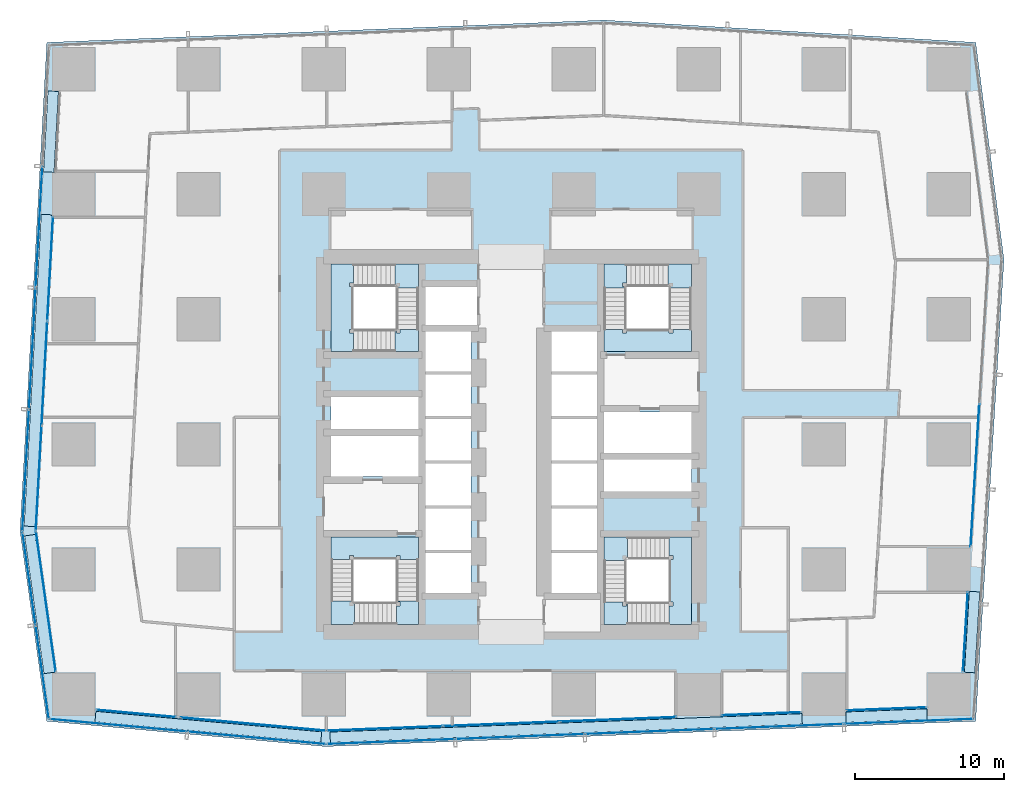
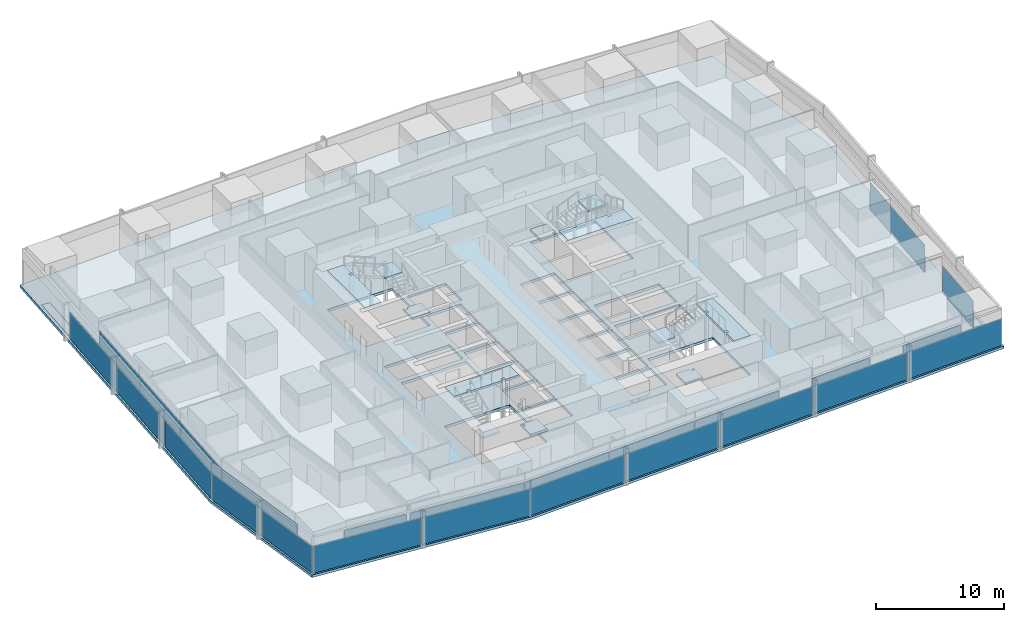
# One storey, part 27 of 40: 32 plates, 13 slabs, 17 elements without a shape of their own.
"""IFC4 building model written with IfcOpenShell, lengths in metres."""

import ifcopenshell
import ifcopenshell.guid

model = None  # the IFC model being written
_history = None  # IfcOwnerHistory: only IFC2X3 demands one
_inside = {}  # id of a spatial element -> (the spatial element, [elements in it])
_under = {}  # id of a project, library or spatial element -> (it, [spatial elements below it])
_declared = {}  # id of a project -> (the project, [libraries it declares])
_typed = {}  # id of a type object -> (the type object, [elements of that type])
_made_of = {}  # id of a material, layer set ... -> (it, [elements and type objects made of it])


def new_model(schema):
    """Start an empty IFC model of exactly this schema.

    Asked for "IFC4X3", IfcOpenShell would pick the latest addendum, in which some entities
    have other attributes; the version numbers below select the first issue.
    IFC2X3 requires an IfcOwnerHistory on every rooted entity: one is made here for all.
    """
    global model, _history
    if schema == "IFC4X3":
        model = ifcopenshell.file(schema_version=(4, 3, 0, 0))
    else:
        model = ifcopenshell.file(schema=schema)
    _inside.clear()
    _under.clear()
    _declared.clear()
    _typed.clear()
    _made_of.clear()
    _history = None
    if model.schema == "IFC2X3":
        org = make("IfcOrganization", Name="unknown")
        user = make(
            "IfcPersonAndOrganization",
            ThePerson=make("IfcPerson", FamilyName="unknown"),
            TheOrganization=org,
        )
        app = make(
            "IfcApplication",
            ApplicationDeveloper=org,
            Version="unknown",
            ApplicationFullName="unknown",
            ApplicationIdentifier="unknown",
        )
        _history = make(
            "IfcOwnerHistory",
            OwningUser=user,
            OwningApplication=app,
            ChangeAction="ADDED",
            CreationDate=0,
        )
    return model


def make(cls, **values):
    """One entity of the class cls with the attributes given. An attribute that is None is left unset."""
    return model.create_entity(
        cls, **{name: value for name, value in values.items() if value is not None}
    )


def rooted(cls, **values):
    """An entity with a GlobalId (a new one), such as an element, a storey or a relation."""
    return make(cls, GlobalId=ifcopenshell.guid.new(), OwnerHistory=_history, **values)


def si_unit(unit_type, name, prefix=None):
    """IfcSIUnit, for example si_unit("LENGTHUNIT", "METRE", prefix="MILLI")."""
    return make("IfcSIUnit", UnitType=unit_type, Prefix=prefix, Name=name)


def assignment(units):
    """IfcUnitAssignment: the units of a project."""
    return None if units is None else make("IfcUnitAssignment", Units=units)


def point(xyz):
    """IfcCartesianPoint."""
    return None if xyz is None else make("IfcCartesianPoint", Coordinates=xyz)


def direction(xyz):
    """IfcDirection."""
    return None if xyz is None else make("IfcDirection", DirectionRatios=xyz)


def frame(location, z_axis=None, x_axis=None):
    """IfcAxis2Placement3D, a coordinate frame: its origin and axes. An axis left out is left unset."""
    return make(
        "IfcAxis2Placement3D",
        Location=point(location),
        Axis=direction(z_axis),
        RefDirection=direction(x_axis),
    )


def frame_2d(location, x_axis=None):
    """IfcAxis2Placement2D, a coordinate frame in the plane: its origin and x axis."""
    return make(
        "IfcAxis2Placement2D", Location=point(location), RefDirection=direction(x_axis)
    )


def origin():
    """The frame at (0, 0, 0) with its axes left unset."""
    return frame((0.0, 0.0, 0.0))


def origin_2d():
    """The frame at (0, 0) in the plane with its x axis left unset."""
    return frame_2d((0.0, 0.0))


def place(relative_to, where):
    """IfcLocalPlacement: puts the frame where relative to a parent placement (None: the world)."""
    return make(
        "IfcLocalPlacement", PlacementRelTo=relative_to, RelativePlacement=where
    )


def context(
    kind, dimensions, precision=None, world=None, true_north=None, identifier=None
):
    """IfcGeometricRepresentationContext, for example the 3D "Model" context."""
    return make(
        "IfcGeometricRepresentationContext",
        ContextIdentifier=identifier,
        ContextType=kind,
        CoordinateSpaceDimension=dimensions,
        Precision=precision,
        WorldCoordinateSystem=world,
        TrueNorth=true_north,
    )


def subcontext(parent, identifier, kind, view, scale=None):
    """IfcGeometricRepresentationSubContext, for example "Body" below "Model"."""
    return make(
        "IfcGeometricRepresentationSubContext",
        ContextIdentifier=identifier,
        ContextType=kind,
        ParentContext=parent,
        TargetScale=scale,
        TargetView=view,
    )


def project(units=None, contexts=None):
    """IfcProject with its units and contexts."""
    return rooted(
        "IfcProject",
        Name="project",
        RepresentationContexts=contexts,
        UnitsInContext=assignment(units),
    )


def spatial(cls, under=None, at=None, **own):
    """A site, building, storey or space (cls), placed at a placement, below another one or the project."""
    s = rooted(cls, ObjectPlacement=at, **own)
    if under is not None:
        _under.setdefault(under.id(), (under, []))[1].append(s)
    return s


def polyline(points):
    """IfcPolyline through the points."""
    return make("IfcPolyline", Points=[point(p) for p in points])


def profile(cls, at=None, kind="AREA", **sizes):
    """A parametric profile (cls). Its sizes go by their IFC names, for example OverallWidth=200.0."""
    return make(cls, ProfileType=kind, Position=at, **sizes)


def rectangle(**sizes):
    """IfcRectangleProfileDef."""
    return profile("IfcRectangleProfileDef", **sizes)


def outline(outer, holes=None, kind="AREA"):
    """IfcArbitraryClosedProfileDef: a profile drawn as a closed curve; with holes, ...WithVoids."""
    if holes is None:
        return make("IfcArbitraryClosedProfileDef", ProfileType=kind, OuterCurve=outer)
    return make(
        "IfcArbitraryProfileDefWithVoids",
        ProfileType=kind,
        OuterCurve=outer,
        InnerCurves=holes,
    )


def extrude(swept, where, along, depth):
    """IfcExtrudedAreaSolid: the profile swept, set in the frame where, extruded along a direction by depth."""
    return make(
        "IfcExtrudedAreaSolid",
        SweptArea=swept,
        Position=where,
        ExtrudedDirection=direction(along),
        Depth=depth,
    )


def shape(context_of_items, identifier, shape_type, items):
    """IfcShapeRepresentation: the items that make up one representation, for example the "Body"."""
    return make(
        "IfcShapeRepresentation",
        ContextOfItems=context_of_items,
        RepresentationIdentifier=identifier,
        RepresentationType=shape_type,
        Items=items,
    )


def material(Name=None, Category=None):
    """IfcMaterial."""
    return make("IfcMaterial", Name=Name, Category=Category)


def layer(
    of_material, thickness, ventilated=None, Name=None, Category=None, Priority=None
):
    """IfcMaterialLayer: one layer of a wall or slab, of a material (None: an air gap)."""
    return make(
        "IfcMaterialLayer",
        Material=of_material,
        LayerThickness=thickness,
        IsVentilated=ventilated,
        Name=Name,
        Category=Category,
        Priority=Priority,
    )


def layer_set(layers, Name=None):
    """IfcMaterialLayerSet."""
    return make("IfcMaterialLayerSet", MaterialLayers=layers, LayerSetName=Name)


def made_of(thing, what):
    """Note that an element or type object is made of a material, layer set ...; save() writes the relation."""
    if what is not None:
        _made_of.setdefault(what.id(), (what, []))[1].append(thing)
    return thing


def type_object(cls, material=None, **own):
    """A type object (cls), such as IfcWallType, which elements share."""
    return made_of(rooted(cls, **own), material)


def element(
    cls,
    number,
    at=None,
    inside=None,
    cuts=None,
    type_object=None,
    material=None,
    context=None,
    identifier="Body",
    shape_type=None,
    held_by="IfcProductDefinitionShape",
    body=None,
    shapes=None,
    **own,
):
    """One element of the class cls, such as IfcWall. Its Tag is "e" and its number.

    at: its placement. inside: the storey or other place that contains it. cuts: it is an
    opening in that element (IfcRelVoidsElement). A single representation is given by context,
    identifier, shape_type and body (its items); several are given by shapes. held_by: the class
    of the entity that holds the representations. save() writes the other relations.
    """
    e = rooted(cls, Tag="e%d" % number, ObjectPlacement=at, **own)
    if body is not None:
        shapes = [shape(context, identifier, shape_type, body)]
    if shapes is not None:
        e.Representation = make(held_by, Representations=shapes)
    if inside is not None:
        _inside.setdefault(inside.id(), (inside, []))[1].append(e)
    if cuts is not None:
        rooted(
            "IfcRelVoidsElement", RelatingBuildingElement=cuts, RelatedOpeningElement=e
        )
    if type_object is not None:
        _typed.setdefault(type_object.id(), (type_object, []))[1].append(e)
    return made_of(e, material)


def aggregate(whole, parts):
    """IfcRelAggregates: a whole, such as a stair, and the parts it consists of."""
    return rooted("IfcRelAggregates", RelatingObject=whole, RelatedObjects=parts)


def save(model, path):
    """Write the relations noted so far, then the file.

    IfcRelAggregates (storeys below a building ...), IfcRelContainedInSpatialStructure (elements
    in a storey), IfcRelDefinesByType, IfcRelAssociatesMaterial and IfcRelDeclares: one each for
    every whole, place, type object, material and project.
    """
    for whole, parts in _under.values():
        aggregate(whole, parts)
    for where, things in _inside.values():
        rooted(
            "IfcRelContainedInSpatialStructure",
            RelatedElements=things,
            RelatingStructure=where,
        )
    for kind, things in _typed.values():
        rooted("IfcRelDefinesByType", RelatedObjects=things, RelatingType=kind)
    for what, things in _made_of.values():
        rooted("IfcRelAssociatesMaterial", RelatedObjects=things, RelatingMaterial=what)
    for by, libraries in _declared.values():
        rooted("IfcRelDeclares", RelatingContext=by, RelatedDefinitions=libraries)
    model.write(path)


model = new_model("IFC4")

# Units and contexts
model_context = context("Model", 3, precision=1e-05, world=origin(), true_north=direction((0.0, 1.0)))
body_context = subcontext(model_context, "Body", "Model", "MODEL_VIEW")
ifc_project = project(units=[si_unit("LENGTHUNIT", "METRE"), si_unit("AREAUNIT", "SQUARE_METRE"), si_unit("VOLUMEUNIT", "CUBIC_METRE"), si_unit("PLANEANGLEUNIT", "RADIAN"), si_unit("MASSUNIT", "GRAM", prefix="KILO")], contexts=[model_context])

# Site, building, storey
site_placement = place(None, origin())
site = spatial("IfcSite", under=ifc_project, at=site_placement, CompositionType="ELEMENT")
building_placement = place(site_placement, origin())
building = spatial("IfcBuilding", under=site, at=building_placement, Name="Rekha Terrace Tower", CompositionType="ELEMENT")
storey_placement = place(building_placement, frame((0.0, 0.0, 95.300048828125)))
storey = spatial("IfcBuildingStorey", under=building, at=storey_placement, Name="L23", CompositionType="ELEMENT", Elevation=95.300048828125)

# Curtain wall, plate
ifc_material_1 = material(Name="Aluminium framing", Category="aluminium")
curtain_wall_type_1 = type_object("IfcCurtainWallType", Name="CW1 double skin inner glazing", PredefinedType="USERDEFINED", material=ifc_material_1)
curtain_wall_1_placement = place(storey_placement, origin())
curtain_wall_1 = element("IfcCurtainWall", 1, at=curtain_wall_1_placement, inside=storey, type_object=curtain_wall_type_1, Name="CW1 double skin inner glazing", ObjectType="DOUBLE SKIN INNER GLAZING", PredefinedType="USERDEFINED")
ifc_material_2 = material(Name="Double-glazed low-e unit 32", Category="glass")
ifc_layer_1 = layer(ifc_material_2, 0.031982421875)
ifc_layer_set_1 = layer_set([ifc_layer_1], Name="Double-glazed low-e unit 32")
plate_type_1 = type_object("IfcPlateType", Name="CW1 jumbo vision panel, double-glazed low-e unit 32", PredefinedType="CURTAIN_PANEL", material=ifc_layer_set_1)
plate_1_placement = place(storey_placement, frame((12.60009765625, 15.51953125, 0.0), z_axis=(0.0, 0.0, 1.0), x_axis=(0.995901923143, -0.090439811364, 0.0)))
plate_1 = element("IfcPlate", 2, at=plate_1_placement, type_object=plate_type_1, Name="CW1 panel 1.1", PredefinedType="CURTAIN_PANEL", context=body_context, shape_type="SweptSolid", body=[
    extrude(rectangle(XDim=5.33544921875, YDim=0.031982421875, at=origin_2d()), origin(), (0.0, 0.0, 1.0), 2.60009765625),
])
aggregate(curtain_wall_1, [plate_1])

curtain_wall_2_placement = place(storey_placement, origin())
curtain_wall_2 = element("IfcCurtainWall", 3, at=curtain_wall_2_placement, inside=storey, type_object=curtain_wall_type_1, Name="CW1 double skin inner glazing", ObjectType="DOUBLE SKIN INNER GLAZING", PredefinedType="USERDEFINED")
plate_2_placement = place(storey_placement, frame((20.47021484375, 14.8046875, 0.0), z_axis=(0.0, 0.0, 1.0), x_axis=(0.995901923143, -0.090439811364, 0.0)))
plate_2 = element("IfcPlate", 4, at=plate_2_placement, type_object=plate_type_1, Name="CW1 panel 1.1", PredefinedType="CURTAIN_PANEL", context=body_context, shape_type="SweptSolid", body=[
    extrude(rectangle(XDim=9.794677734375, YDim=0.031982421875, at=origin_2d()), origin(), (0.0, 0.0, 1.0), 2.60009765625),
])
aggregate(curtain_wall_2, [plate_2])

# Curtain wall, plates
curtain_wall_3_placement = place(storey_placement, origin())
curtain_wall_3 = element("IfcCurtainWall", 5, at=curtain_wall_3_placement, inside=storey, type_object=curtain_wall_type_1, Name="CW1 double skin inner glazing", ObjectType="DOUBLE SKIN INNER GLAZING", PredefinedType="USERDEFINED")
plate_3_placement = place(storey_placement, frame((29.29443359375, 14.515380859375, 0.0), z_axis=(0.0, 0.0, 1.0), x_axis=(0.999243498917, 0.038889971345, 0.0)))
plate_3 = element("IfcPlate", 6, at=plate_3_placement, type_object=plate_type_1, Name="CW1 panel 1.1", PredefinedType="CURTAIN_PANEL", context=body_context, shape_type="SweptSolid", body=[
    extrude(rectangle(XDim=7.770263671875, YDim=0.031982421875, at=origin_2d()), origin(), (0.0, 0.0, 1.0), 2.60009765625),
])
plate_4_placement = place(storey_placement, frame((37.14013671875, 14.82080078125, 0.0), z_axis=(0.0, 0.0, 1.0), x_axis=(0.999243498917, 0.038889971345, 0.0)))
plate_4 = element("IfcPlate", 7, at=plate_4_placement, type_object=plate_type_1, Name="CW1 panel 2.1", PredefinedType="CURTAIN_PANEL", context=body_context, shape_type="SweptSolid", body=[
    extrude(rectangle(XDim=7.802734375, YDim=0.031982421875, at=origin_2d()), origin(), (0.0, 0.0, 1.0), 2.60009765625),
])
plate_5_placement = place(storey_placement, frame((44.985595703125, 15.126220703125, 0.0), z_axis=(0.0, 0.0, 1.0), x_axis=(0.999243498917, 0.038889971345, 0.0)))
plate_5 = element("IfcPlate", 8, at=plate_5_placement, type_object=plate_type_1, Name="CW1 panel 3.1", PredefinedType="CURTAIN_PANEL", context=body_context, shape_type="SweptSolid", body=[
    extrude(rectangle(XDim=7.770263671875, YDim=0.031982421875, at=origin_2d()), origin(), (0.0, 0.0, 1.0), 2.60009765625),
])
aggregate(curtain_wall_3, [plate_3, plate_4, plate_5])

# Curtain wall, plate
curtain_wall_4_placement = place(storey_placement, origin())
curtain_wall_4 = element("IfcCurtainWall", 9, at=curtain_wall_4_placement, inside=storey, type_object=curtain_wall_type_1, Name="CW1 double skin inner glazing", ObjectType="DOUBLE SKIN INNER GLAZING", PredefinedType="USERDEFINED")
plate_6_placement = place(storey_placement, frame((54.60009765625, 15.500244140625, 0.0), z_axis=(0.0, 0.0, 1.0), x_axis=(0.999243498921, 0.038889971258, 0.0)))
plate_6 = element("IfcPlate", 10, at=plate_6_placement, type_object=plate_type_1, Name="CW1 panel 1.1", PredefinedType="CURTAIN_PANEL", context=body_context, shape_type="SweptSolid", body=[
    extrude(rectangle(XDim=5.32666015625, YDim=0.031982421875, at=origin_2d()), origin(), (0.0, 0.0, 1.0), 2.60009765625),
])
aggregate(curtain_wall_4, [plate_6])

curtain_wall_5_placement = place(storey_placement, origin())
curtain_wall_5 = element("IfcCurtainWall", 11, at=curtain_wall_5_placement, inside=storey, type_object=curtain_wall_type_1, Name="CW1 double skin inner glazing", ObjectType="DOUBLE SKIN INNER GLAZING", PredefinedType="USERDEFINED")
plate_7_placement = place(storey_placement, frame((63.0, 15.827392578125, 0.0), z_axis=(0.0, 0.0, 1.0), x_axis=(0.999243498914, 0.038889971433, 0.0)))
plate_7 = element("IfcPlate", 12, at=plate_7_placement, type_object=plate_type_1, Name="CW1 panel 1.1", PredefinedType="CURTAIN_PANEL", context=body_context, shape_type="SweptSolid", body=[
    extrude(rectangle(XDim=5.32666015625, YDim=0.031982421875, at=origin_2d()), origin(), (0.0, 0.0, 1.0), 2.60009765625),
])
aggregate(curtain_wall_5, [plate_7])

curtain_wall_6_placement = place(storey_placement, origin())
curtain_wall_6 = element("IfcCurtainWall", 13, at=curtain_wall_6_placement, inside=storey, type_object=curtain_wall_type_1, Name="CW1 double skin inner glazing", ObjectType="DOUBLE SKIN INNER GLAZING", PredefinedType="USERDEFINED")
plate_8_placement = place(storey_placement, frame((68.3056640625, 21.0, 0.0), z_axis=(0.0, 0.0, 1.0), x_axis=(0.061159802991, 0.998127987033, 0.0)))
plate_8 = element("IfcPlate", 14, at=plate_8_placement, type_object=plate_type_1, Name="CW1 panel 1.1", PredefinedType="CURTAIN_PANEL", context=body_context, shape_type="SweptSolid", body=[
    extrude(rectangle(XDim=5.32861328125, YDim=0.031982421875, at=origin_2d()), origin(), (0.0, 0.0, 1.0), 2.60009765625),
])
aggregate(curtain_wall_6, [plate_8])

curtain_wall_7_placement = place(storey_placement, origin())
curtain_wall_7 = element("IfcCurtainWall", 15, at=curtain_wall_7_placement, inside=storey, type_object=curtain_wall_type_1, Name="CW1 double skin inner glazing", ObjectType="DOUBLE SKIN INNER GLAZING", PredefinedType="USERDEFINED")
plate_9_placement = place(storey_placement, frame((68.94970703125, 31.511474609375, 0.0), z_axis=(0.0, 0.0, 1.0), x_axis=(0.061159803113, 0.998127987025, 0.0)))
plate_9 = element("IfcPlate", 16, at=plate_9_placement, type_object=plate_type_1, Name="CW1 panel 1.1", PredefinedType="CURTAIN_PANEL", context=body_context, shape_type="SweptSolid", body=[
    extrude(rectangle(XDim=9.571533203125, YDim=0.031982421875, at=origin_2d()), origin(), (0.0, 0.0, 1.0), 2.60009765625),
])
aggregate(curtain_wall_7, [plate_9])

# Curtain wall, plates
curtain_wall_8_placement = place(storey_placement, origin())
curtain_wall_8 = element("IfcCurtainWall", 17, at=curtain_wall_8_placement, inside=storey, type_object=curtain_wall_type_1, Name="CW1 double skin inner glazing", ObjectType="DOUBLE SKIN INNER GLAZING", PredefinedType="USERDEFINED")
plate_10_placement = place(storey_placement, frame((6.827880859375, 45.39111328125, 0.0), z_axis=(0.0, 0.0, 1.0), x_axis=(-0.054742352672, -0.998500513182, 0.0)))
plate_10 = element("IfcPlate", 18, at=plate_10_placement, type_object=plate_type_1, Name="CW1 panel 1.1", PredefinedType="CURTAIN_PANEL", context=body_context, shape_type="SweptSolid", body=[
    extrude(rectangle(XDim=6.95068359375, YDim=0.031982421875, at=origin_2d()), origin(), (0.0, 0.0, 1.0), 2.60009765625),
])
plate_11_placement = place(storey_placement, frame((6.44287109375, 38.36962890625, 0.0), z_axis=(0.0, 0.0, 1.0), x_axis=(-0.054742352672, -0.998500513182, 0.0)))
plate_11 = element("IfcPlate", 19, at=plate_11_placement, type_object=plate_type_1, Name="CW1 panel 2.1", PredefinedType="CURTAIN_PANEL", context=body_context, shape_type="SweptSolid", body=[
    extrude(rectangle(XDim=6.983154296875, YDim=0.031982421875, at=origin_2d()), origin(), (0.0, 0.0, 1.0), 2.60009765625),
])
plate_12_placement = place(storey_placement, frame((6.05615234375, 31.31591796875, 0.0), z_axis=(0.0, 0.0, 1.0), x_axis=(-0.054742352672, -0.998500513182, 0.0)))
plate_12 = element("IfcPlate", 20, at=plate_12_placement, type_object=plate_type_1, Name="CW1 panel 3.1", PredefinedType="CURTAIN_PANEL", context=body_context, shape_type="SweptSolid", body=[
    extrude(rectangle(XDim=7.015625, YDim=0.031982421875, at=origin_2d()), origin(), (0.0, 0.0, 1.0), 2.60009765625),
])
aggregate(curtain_wall_8, [plate_10, plate_11, plate_12])

# Curtain wall, plate
curtain_wall_9_placement = place(storey_placement, origin())
curtain_wall_9 = element("IfcCurtainWall", 21, at=curtain_wall_9_placement, inside=storey, type_object=curtain_wall_type_1, Name="CW1 double skin inner glazing", ObjectType="DOUBLE SKIN INNER GLAZING", PredefinedType="USERDEFINED")
plate_13_placement = place(storey_placement, frame((6.535888671875, 23.04833984375, 0.0), z_axis=(0.0, 0.0, 1.0), x_axis=(0.13959704803, -0.99020839432, 0.0)))
plate_13 = element("IfcPlate", 22, at=plate_13_placement, type_object=plate_type_1, Name="CW1 panel 1.1", PredefinedType="CURTAIN_PANEL", context=body_context, shape_type="SweptSolid", body=[
    extrude(rectangle(XDim=9.49462890625, YDim=0.031982421875, at=origin_2d()), origin(), (0.0, 0.0, 1.0), 2.60009765625),
])
aggregate(curtain_wall_9, [plate_13])

# Curtain wall, plates
curtain_wall_type_2 = type_object("IfcCurtainWallType", Name="CW2 double skin outer glazing", PredefinedType="USERDEFINED", material=ifc_material_1)
curtain_wall_10_placement = place(storey_placement, origin())
curtain_wall_10 = element("IfcCurtainWall", 23, at=curtain_wall_10_placement, inside=storey, type_object=curtain_wall_type_2, Name="CW2 double skin outer glazing", ObjectType="DOUBLE SKIN OUTER GLAZING", PredefinedType="USERDEFINED")
ifc_material_3 = material(Name="Toughened single glazing 12", Category="glass")
ifc_layer_2 = layer(ifc_material_3, 0.011962890625)
ifc_layer_set_2 = layer_set([ifc_layer_2], Name="Toughened single glazing 12")
plate_type_2 = type_object("IfcPlateType", Name="CW2 jumbo vision panel, toughened single glazing 12", PredefinedType="CURTAIN_PANEL", material=ifc_layer_set_2)
plate_14_placement = place(storey_placement, frame((11.406494140625, 14.72412109375, 0.0), z_axis=(0.0, 0.0, 1.0), x_axis=(0.995901923137, -0.090439811433, 0.0)))
plate_14 = element("IfcPlate", 24, at=plate_14_placement, type_object=plate_type_2, Name="CW2 panel 1.1", PredefinedType="CURTAIN_PANEL", context=body_context, shape_type="SweptSolid", body=[
    extrude(rectangle(XDim=9.2099609375, YDim=0.011962890625, at=origin_2d()), origin(), (0.0, 0.0, 1.0), 2.60009765625),
])
plate_15_placement = place(storey_placement, frame((20.6982421875, 13.88037109375, 0.0), z_axis=(0.0, 0.0, 1.0), x_axis=(0.995901923137, -0.090439811433, 0.0)))
plate_15 = element("IfcPlate", 25, at=plate_15_placement, type_object=plate_type_2, Name="CW2 panel 2.1", PredefinedType="CURTAIN_PANEL", context=body_context, shape_type="SweptSolid", body=[
    extrude(rectangle(XDim=9.2900390625, YDim=0.011962890625, at=origin_2d()), origin(), (0.0, 0.0, 1.0), 2.60009765625),
])
aggregate(curtain_wall_10, [plate_14, plate_15])

curtain_wall_11_placement = place(storey_placement, origin())
curtain_wall_11 = element("IfcCurtainWall", 26, at=curtain_wall_11_placement, inside=storey, type_object=curtain_wall_type_2, Name="CW2 double skin outer glazing", ObjectType="DOUBLE SKIN OUTER GLAZING", PredefinedType="USERDEFINED")
plate_16_placement = place(storey_placement, frame((29.696533203125, 13.63037109375, 0.0), z_axis=(0.0, 0.0, 1.0), x_axis=(0.999243498917, 0.038889971345, 0.0)))
plate_16 = element("IfcPlate", 27, at=plate_16_placement, type_object=plate_type_2, Name="CW2 panel 1.1", PredefinedType="CURTAIN_PANEL", context=body_context, shape_type="SweptSolid", body=[
    extrude(rectangle(XDim=8.591552734375, YDim=0.011962890625, at=origin_2d()), origin(), (0.0, 0.0, 1.0), 2.60009765625),
])
plate_17_placement = place(storey_placement, frame((38.381591796875, 13.968505859375, 0.0), z_axis=(0.0, 0.0, 1.0), x_axis=(0.999243498917, 0.038889971345, 0.0)))
plate_17 = element("IfcPlate", 28, at=plate_17_placement, type_object=plate_type_2, Name="CW2 panel 2.1", PredefinedType="CURTAIN_PANEL", context=body_context, shape_type="SweptSolid", body=[
    extrude(rectangle(XDim=8.631591796875, YDim=0.011962890625, at=origin_2d()), origin(), (0.0, 0.0, 1.0), 2.60009765625),
])
plate_18_placement = place(storey_placement, frame((47.086669921875, 14.307373046875, 0.0), z_axis=(0.0, 0.0, 1.0), x_axis=(0.999243498917, 0.038889971345, 0.0)))
plate_18 = element("IfcPlate", 29, at=plate_18_placement, type_object=plate_type_2, Name="CW2 panel 3.1", PredefinedType="CURTAIN_PANEL", context=body_context, shape_type="SweptSolid", body=[
    extrude(rectangle(XDim=8.631591796875, YDim=0.011962890625, at=origin_2d()), origin(), (0.0, 0.0, 1.0), 2.60009765625),
])
plate_19_placement = place(storey_placement, frame((55.791748046875, 14.64599609375, 0.0), z_axis=(0.0, 0.0, 1.0), x_axis=(0.999243498917, 0.038889971345, 0.0)))
plate_19 = element("IfcPlate", 30, at=plate_19_placement, type_object=plate_type_2, Name="CW2 panel 4.1", PredefinedType="CURTAIN_PANEL", context=body_context, shape_type="SweptSolid", body=[
    extrude(rectangle(XDim=8.631591796875, YDim=0.011962890625, at=origin_2d()), origin(), (0.0, 0.0, 1.0), 2.60009765625),
])
plate_20_placement = place(storey_placement, frame((64.5166015625, 14.985595703125, 0.0), z_axis=(0.0, 0.0, 1.0), x_axis=(0.999243498917, 0.038889971345, 0.0)))
plate_20 = element("IfcPlate", 31, at=plate_20_placement, type_object=plate_type_2, Name="CW2 panel 5.1", PredefinedType="CURTAIN_PANEL", context=body_context, shape_type="SweptSolid", body=[
    extrude(rectangle(XDim=8.671630859375, YDim=0.011962890625, at=origin_2d()), origin(), (0.0, 0.0, 1.0), 2.60009765625),
])
aggregate(curtain_wall_11, [plate_16, plate_17, plate_18, plate_19, plate_20])

curtain_wall_12_placement = place(storey_placement, origin())
curtain_wall_12 = element("IfcCurtainWall", 32, at=curtain_wall_12_placement, inside=storey, type_object=curtain_wall_type_2, Name="CW2 double skin outer glazing", ObjectType="DOUBLE SKIN OUTER GLAZING", PredefinedType="USERDEFINED")
plate_21_placement = place(storey_placement, frame((6.080078125, 48.1943359375, 0.0), z_axis=(0.0, 0.0, 1.0), x_axis=(-0.054742352707, -0.99850051318, 0.0)))
plate_21 = element("IfcPlate", 33, at=plate_21_placement, type_object=plate_type_2, Name="CW2 panel 2.1", PredefinedType="CURTAIN_PANEL", context=body_context, shape_type="SweptSolid", body=[
    extrude(rectangle(XDim=8.10009765625, YDim=0.011962890625, at=origin_2d()), origin(), (0.0, 0.0, 1.0), 2.60009765625),
])
plate_22_placement = place(storey_placement, frame((5.63232421875, 40.026611328125, 0.0), z_axis=(0.0, 0.0, 1.0), x_axis=(-0.054742352707, -0.99850051318, 0.0)))
plate_22 = element("IfcPlate", 34, at=plate_22_placement, type_object=plate_type_2, Name="CW2 panel 3.1", PredefinedType="CURTAIN_PANEL", context=body_context, shape_type="SweptSolid", body=[
    extrude(rectangle(XDim=8.10009765625, YDim=0.011962890625, at=origin_2d()), origin(), (0.0, 0.0, 1.0), 2.60009765625),
])
plate_23_placement = place(storey_placement, frame((5.183349609375, 31.8388671875, 0.0), z_axis=(0.0, 0.0, 1.0), x_axis=(-0.054742352707, -0.99850051318, 0.0)))
plate_23 = element("IfcPlate", 35, at=plate_23_placement, type_object=plate_type_2, Name="CW2 panel 4.1", PredefinedType="CURTAIN_PANEL", context=body_context, shape_type="SweptSolid", body=[
    extrude(rectangle(XDim=8.14013671875, YDim=0.011962890625, at=origin_2d()), origin(), (0.0, 0.0, 1.0), 2.60009765625),
])
aggregate(curtain_wall_12, [plate_21, plate_22, plate_23])

curtain_wall_13_placement = place(storey_placement, origin())
curtain_wall_13 = element("IfcCurtainWall", 36, at=curtain_wall_13_placement, inside=storey, type_object=curtain_wall_type_2, Name="CW2 double skin outer glazing", ObjectType="DOUBLE SKIN OUTER GLAZING", PredefinedType="USERDEFINED")
plate_24_placement = place(storey_placement, frame((5.408447265625, 24.598388671875, 0.0), z_axis=(0.0, 0.0, 1.0), x_axis=(0.139597048082, -0.990208394312, 0.0)))
plate_24 = element("IfcPlate", 37, at=plate_24_placement, type_object=plate_type_2, Name="CW2 panel 1.1", PredefinedType="CURTAIN_PANEL", context=body_context, shape_type="SweptSolid", body=[
    extrude(rectangle(XDim=6.255859375, YDim=0.011962890625, at=origin_2d()), origin(), (0.0, 0.0, 1.0), 2.60009765625),
])
plate_25_placement = place(storey_placement, frame((6.298583984375, 18.284912109375, 0.0), z_axis=(0.0, 0.0, 1.0), x_axis=(0.139597048082, -0.990208394312, 0.0)))
plate_25 = element("IfcPlate", 38, at=plate_25_placement, type_object=plate_type_2, Name="CW2 panel 2.1", PredefinedType="CURTAIN_PANEL", context=body_context, shape_type="SweptSolid", body=[
    extrude(rectangle(XDim=6.3359375, YDim=0.011962890625, at=origin_2d()), origin(), (0.0, 0.0, 1.0), 2.60009765625),
])
aggregate(curtain_wall_13, [plate_24, plate_25])

# Plates
ifc_material_4 = material(Name="Galvanised steel open grating", Category="steel")
ifc_layer_3 = layer(ifc_material_4, 0.050048828125)
ifc_layer_set_3 = layer_set([ifc_layer_3], Name="Galvanised steel open grating")
plate_type_3 = type_object("IfcPlateType", Name="GT1 cavity walkway grating 50", PredefinedType="USERDEFINED", material=ifc_layer_set_3)
plate_26_placement = place(storey_placement, frame((17.451904296875, 14.626953125, 0.0), z_axis=(0.0, 0.0, 1.0), x_axis=(0.99590192314, -0.090439811399, 0.0)))
element("IfcPlate", 39, at=plate_26_placement, inside=storey, type_object=plate_type_3, Name="Cavity walkway grating", ObjectType="CAVITY WALKWAY GRATING", PredefinedType="USERDEFINED", context=body_context, shape_type="SweptSolid", body=[
    extrude(rectangle(XDim=15.232421875, YDim=0.705078125, at=origin_2d()), origin(), (0.0, 0.0, 1.0), 0.050048828125),
])
plate_27_placement = place(storey_placement, frame((41.486572265625, 14.53955078125, 0.0), z_axis=(0.0, 0.0, 1.0), x_axis=(0.999243498917, 0.038889971345, 0.0)))
element("IfcPlate", 40, at=plate_27_placement, inside=storey, type_object=plate_type_3, Name="Cavity walkway grating", ObjectType="CAVITY WALKWAY GRATING", PredefinedType="USERDEFINED", context=body_context, shape_type="SweptSolid", body=[
    extrude(rectangle(XDim=31.72607421875, YDim=0.705078125, at=origin_2d()), origin(), (0.0, 0.0, 1.0), 0.050048828125),
])
plate_28_placement = place(storey_placement, frame((63.004638671875, 15.377197265625, 0.0), z_axis=(0.0, 0.0, 1.0), x_axis=(0.999243498917, 0.038889971345, 0.0)))
element("IfcPlate", 41, at=plate_28_placement, inside=storey, type_object=plate_type_3, Name="Cavity walkway grating", ObjectType="CAVITY WALKWAY GRATING", PredefinedType="USERDEFINED", context=body_context, shape_type="SweptSolid", body=[
    extrude(rectangle(XDim=5.4443359375, YDim=0.705078125, at=origin_2d()), origin(), (0.0, 0.0, 1.0), 0.050048828125),
])
plate_29_placement = place(storey_placement, frame((68.755859375, 20.990478515625, 0.0), z_axis=(0.0, 0.0, 1.0), x_axis=(0.061159803131, 0.998127987024, 0.0)))
element("IfcPlate", 42, at=plate_29_placement, inside=storey, type_object=plate_type_3, Name="Cavity walkway grating", ObjectType="CAVITY WALKWAY GRATING", PredefinedType="USERDEFINED", context=body_context, shape_type="SweptSolid", body=[
    extrude(rectangle(XDim=5.443603515625, YDim=0.705078125, at=origin_2d()), origin(), (0.0, 0.0, 1.0), 0.050048828125),
])
plate_30_placement = place(storey_placement, frame((6.88232421875, 54.60791015625, 0.0), z_axis=(0.0, 0.0, 1.0), x_axis=(-0.05474235269, -0.998500513181, 0.0)))
element("IfcPlate", 43, at=plate_30_placement, inside=storey, type_object=plate_type_3, Name="Cavity walkway grating", ObjectType="CAVITY WALKWAY GRATING", PredefinedType="USERDEFINED", context=body_context, shape_type="SweptSolid", body=[
    extrude(rectangle(XDim=5.443359375, YDim=0.705078125, at=origin_2d()), origin(), (0.0, 0.0, 1.0), 0.050048828125),
])
plate_31_placement = place(storey_placement, frame((6.0029296875, 38.565185546875, 0.0), z_axis=(0.0, 0.0, 1.0), x_axis=(-0.05474235269, -0.998500513181, 0.0)))
element("IfcPlate", 44, at=plate_31_placement, inside=storey, type_object=plate_type_3, Name="Cavity walkway grating", ObjectType="CAVITY WALKWAY GRATING", PredefinedType="USERDEFINED", context=body_context, shape_type="SweptSolid", body=[
    extrude(rectangle(XDim=20.974365234375, YDim=0.705078125, at=origin_2d()), origin(), (0.0, 0.0, 1.0), 0.050048828125),
])
plate_32_placement = place(storey_placement, frame((6.1064453125, 22.8701171875, 0.0), z_axis=(0.0, 0.0, 1.0), x_axis=(0.139597048064, -0.990208394315, 0.0)))
element("IfcPlate", 45, at=plate_32_placement, inside=storey, type_object=plate_type_3, Name="Cavity walkway grating", ObjectType="CAVITY WALKWAY GRATING", PredefinedType="USERDEFINED", context=body_context, shape_type="SweptSolid", body=[
    extrude(rectangle(XDim=9.34521484375, YDim=0.705078125, at=origin_2d()), origin(), (0.0, 0.0, 1.0), 0.050048828125),
])

# Stair, slabs
ifc_material_5 = material(Name="Concrete M40", Category="concrete")
stair_type = type_object("IfcStairType", Name="ST30 stair, 30 risers of 125, going 310, 1500 wide flights, 3 flights", PredefinedType="HALF_TURN_STAIR", material=ifc_material_5)
stair_1_placement = place(storey_placement, origin())
stair_1 = element("IfcStair", 46, at=stair_1_placement, inside=storey, type_object=stair_type, Name="Stair ST1 L23 to L24", PredefinedType="HALF_TURN_STAIR")
ifc_layer_4 = layer(ifc_material_5, 0.199951171875)
ifc_layer_set_4 = layer_set([ifc_layer_4], Name="Concrete M40")
slab_type_1 = type_object("IfcSlabType", Name="LD1 200 concrete stair landing", PredefinedType="LANDING", material=ifc_layer_set_4)
slab_1_placement = place(storey_placement, frame((0.0, 0.0, 1.050048828125)))
slab_1 = element("IfcSlab", 47, at=slab_1_placement, type_object=slab_type_1, Name="ST1 landing 1", PredefinedType="LANDING", context=body_context, shape_type="SweptSolid", body=[
    extrude(outline(polyline([(30.074951171875, 21.5), (31.574951171875, 21.5), (31.574951171875, 23.0849609375), (30.074951171875, 23.0849609375), (30.074951171875, 23.0), (30.324951171875, 23.0), (30.324951171875, 22.75), (30.074951171875, 22.75), (30.074951171875, 21.5)])), origin(), (0.0, 0.0, 1.0), 0.199951171875),
])
slab_2_placement = place(storey_placement, frame((0.0, 0.0, 2.300048828125)))
slab_2 = element("IfcSlab", 48, at=slab_2_placement, type_object=slab_type_1, Name="ST1 landing 2", PredefinedType="LANDING", context=body_context, shape_type="SweptSolid", body=[
    extrude(outline(polyline([(27.199951171875, 23.0849609375), (25.699951171875, 23.0849609375), (25.699951171875, 21.5), (27.284912109375, 21.5), (27.284912109375, 23.0), (27.199951171875, 23.0), (27.199951171875, 23.0849609375)])), origin(), (0.0, 0.0, 1.0), 0.199951171875),
])
slab_3_placement = place(storey_placement, frame((0.0, 0.0, 3.550048828125)))
slab_3 = element("IfcSlab", 49, at=slab_3_placement, type_object=slab_type_1, Name="ST1 landing 3", PredefinedType="LANDING", context=body_context, shape_type="SweptSolid", body=[
    extrude(outline(polyline([(31.574951171875, 25.875), (31.574951171875, 27.375), (25.699951171875, 27.375), (25.699951171875, 25.875), (26.949951171875, 25.875), (26.949951171875, 26.125), (27.199951171875, 26.125), (27.199951171875, 25.875), (30.074951171875, 25.875), (30.074951171875, 26.125), (30.324951171875, 26.125), (30.324951171875, 25.875), (31.574951171875, 25.875)])), origin(), (0.0, 0.0, 1.0), 0.199951171875),
])
aggregate(stair_1, [slab_1, slab_2, slab_3])

stair_2_placement = place(storey_placement, origin())
stair_2 = element("IfcStair", 50, at=stair_2_placement, inside=storey, type_object=stair_type, Name="Stair ST2 L23 to L24", PredefinedType="HALF_TURN_STAIR")
slab_4_placement = place(storey_placement, frame((0.0, 0.0, 1.050048828125)))
slab_4 = element("IfcSlab", 51, at=slab_4_placement, type_object=slab_type_1, Name="ST2 landing 1", PredefinedType="LANDING", context=body_context, shape_type="SweptSolid", body=[
    extrude(outline(polyline([(45.52490234375, 45.699951171875), (44.02490234375, 45.699951171875), (44.02490234375, 44.114990234375), (45.52490234375, 44.114990234375), (45.52490234375, 44.199951171875), (45.27490234375, 44.199951171875), (45.27490234375, 44.449951171875), (45.52490234375, 44.449951171875), (45.52490234375, 45.699951171875)])), origin(), (0.0, 0.0, 1.0), 0.199951171875),
])
slab_5_placement = place(storey_placement, frame((0.0, 0.0, 2.300048828125)))
slab_5 = element("IfcSlab", 52, at=slab_5_placement, type_object=slab_type_1, Name="ST2 landing 2", PredefinedType="LANDING", context=body_context, shape_type="SweptSolid", body=[
    extrude(outline(polyline([(48.39990234375, 44.114990234375), (49.89990234375, 44.114990234375), (49.89990234375, 45.699951171875), (48.31494140625, 45.699951171875), (48.31494140625, 44.199951171875), (48.39990234375, 44.199951171875), (48.39990234375, 44.114990234375)])), origin(), (0.0, 0.0, 1.0), 0.199951171875),
])
slab_6_placement = place(storey_placement, frame((0.0, 0.0, 3.550048828125)))
slab_6 = element("IfcSlab", 53, at=slab_6_placement, type_object=slab_type_1, Name="ST2 landing 3", PredefinedType="LANDING", context=body_context, shape_type="SweptSolid", body=[
    extrude(outline(polyline([(44.02490234375, 41.324951171875), (44.02490234375, 39.824951171875), (49.89990234375, 39.824951171875), (49.89990234375, 41.324951171875), (48.64990234375, 41.324951171875), (48.64990234375, 41.074951171875), (48.39990234375, 41.074951171875), (48.39990234375, 41.324951171875), (45.52490234375, 41.324951171875), (45.52490234375, 41.074951171875), (45.27490234375, 41.074951171875), (45.27490234375, 41.324951171875), (44.02490234375, 41.324951171875)])), origin(), (0.0, 0.0, 1.0), 0.199951171875),
])
aggregate(stair_2, [slab_4, slab_5, slab_6])

stair_3_placement = place(storey_placement, origin())
stair_3 = element("IfcStair", 54, at=stair_3_placement, inside=storey, type_object=stair_type, Name="Stair ST3 L23 to L24", PredefinedType="HALF_TURN_STAIR")
slab_7_placement = place(storey_placement, frame((0.0, 0.0, 1.050048828125)))
slab_7 = element("IfcSlab", 55, at=slab_7_placement, type_object=slab_type_1, Name="ST3 landing 1", PredefinedType="LANDING", context=body_context, shape_type="SweptSolid", body=[
    extrude(outline(polyline([(44.02490234375, 23.0), (44.02490234375, 21.5), (45.610107421875, 21.5), (45.610107421875, 23.0), (45.52490234375, 23.0), (45.52490234375, 22.75), (45.27490234375, 22.75), (45.27490234375, 23.0), (44.02490234375, 23.0)])), origin(), (0.0, 0.0, 1.0), 0.199951171875),
])
slab_8_placement = place(storey_placement, frame((0.0, 0.0, 2.300048828125)))
slab_8 = element("IfcSlab", 56, at=slab_8_placement, type_object=slab_type_1, Name="ST3 landing 2", PredefinedType="LANDING", context=body_context, shape_type="SweptSolid", body=[
    extrude(outline(polyline([(45.610107421875, 25.875), (45.610107421875, 27.375), (44.02490234375, 27.375), (44.02490234375, 25.7900390625), (45.52490234375, 25.7900390625), (45.52490234375, 25.875), (45.610107421875, 25.875)])), origin(), (0.0, 0.0, 1.0), 0.199951171875),
])
slab_9_placement = place(storey_placement, frame((0.0, 0.0, 3.550048828125)))
slab_9 = element("IfcSlab", 57, at=slab_9_placement, type_object=slab_type_1, Name="ST3 landing 3", PredefinedType="LANDING", context=body_context, shape_type="SweptSolid", body=[
    extrude(outline(polyline([(48.39990234375, 21.5), (49.89990234375, 21.5), (49.89990234375, 27.375), (48.39990234375, 27.375), (48.39990234375, 26.125), (48.64990234375, 26.125), (48.64990234375, 25.875), (48.39990234375, 25.875), (48.39990234375, 23.0), (48.64990234375, 23.0), (48.64990234375, 22.75), (48.39990234375, 22.75), (48.39990234375, 21.5)])), origin(), (0.0, 0.0, 1.0), 0.199951171875),
])
aggregate(stair_3, [slab_7, slab_8, slab_9])

stair_4_placement = place(storey_placement, origin())
stair_4 = element("IfcStair", 58, at=stair_4_placement, inside=storey, type_object=stair_type, Name="Stair ST4 L23 to L24", PredefinedType="HALF_TURN_STAIR")
slab_10_placement = place(storey_placement, frame((0.0, 0.0, 1.050048828125)))
slab_10 = element("IfcSlab", 59, at=slab_10_placement, type_object=slab_type_1, Name="ST4 landing 1", PredefinedType="LANDING", context=body_context, shape_type="SweptSolid", body=[
    extrude(outline(polyline([(31.574951171875, 41.324951171875), (31.574951171875, 39.824951171875), (29.989990234375, 39.824951171875), (29.989990234375, 41.324951171875), (30.074951171875, 41.324951171875), (30.074951171875, 41.074951171875), (30.324951171875, 41.074951171875), (30.324951171875, 41.324951171875), (31.574951171875, 41.324951171875)])), origin(), (0.0, 0.0, 1.0), 0.199951171875),
])
slab_11_placement = place(storey_placement, frame((0.0, 0.0, 2.300048828125)))
slab_11 = element("IfcSlab", 60, at=slab_11_placement, type_object=slab_type_1, Name="ST4 landing 2", PredefinedType="LANDING", context=body_context, shape_type="SweptSolid", body=[
    extrude(outline(polyline([(29.989990234375, 44.199951171875), (29.989990234375, 45.699951171875), (31.574951171875, 45.699951171875), (31.574951171875, 44.114990234375), (30.074951171875, 44.114990234375), (30.074951171875, 44.199951171875), (29.989990234375, 44.199951171875)])), origin(), (0.0, 0.0, 1.0), 0.199951171875),
])
slab_12_placement = place(storey_placement, frame((0.0, 0.0, 3.550048828125)))
slab_12 = element("IfcSlab", 61, at=slab_12_placement, type_object=slab_type_1, Name="ST4 landing 3", PredefinedType="LANDING", context=body_context, shape_type="SweptSolid", body=[
    extrude(outline(polyline([(27.199951171875, 39.824951171875), (25.699951171875, 39.824951171875), (25.699951171875, 45.699951171875), (27.199951171875, 45.699951171875), (27.199951171875, 44.449951171875), (26.949951171875, 44.449951171875), (26.949951171875, 44.199951171875), (27.199951171875, 44.199951171875), (27.199951171875, 41.324951171875), (26.949951171875, 41.324951171875), (26.949951171875, 41.074951171875), (27.199951171875, 41.074951171875), (27.199951171875, 39.824951171875)])), origin(), (0.0, 0.0, 1.0), 0.199951171875),
])
aggregate(stair_4, [slab_10, slab_11, slab_12])

# Slab
ifc_material_6 = material(Name="Concrete M50", Category="concrete")
ifc_layer_5 = layer(ifc_material_6, 0.25)
ifc_layer_set_5 = layer_set([ifc_layer_5], Name="Concrete M50")
slab_type_2 = type_object("IfcSlabType", Name="SL4 250 post-tensioned flat plate", PredefinedType="FLOOR", material=ifc_layer_set_5)
slab_13_placement = place(storey_placement, frame((0.0, 0.0, -0.25)))
element("IfcSlab", 62, at=slab_13_placement, inside=storey, type_object=slab_type_2, Name="Post-tensioned flat plate L23", PredefinedType="FLOOR", context=body_context, shape_type="SweptSolid", body=[
    extrude(outline(polyline([(4.800048828125, 27.76806640625), (6.60009765625, 15.0), (25.320068359375, 13.300048828125), (69.0, 15.0), (70.89990234375, 46.008056640625), (69.0, 60.60009765625), (44.0400390625, 62.10009765625), (6.60009765625, 60.60009765625), (4.800048828125, 27.76806640625)]), holes=[polyline([(31.574951171875, 27.375), (31.574951171875, 21.5), (25.699951171875, 21.5), (25.699951171875, 27.375), (31.574951171875, 27.375)]), polyline([(35.10009765625, 26.300048828125), (35.10009765625, 23.625), (32.02490234375, 23.625), (32.02490234375, 26.300048828125), (35.10009765625, 26.300048828125)]), polyline([(35.10009765625, 29.300048828125), (35.10009765625, 26.5), (32.02490234375, 26.5), (32.02490234375, 29.300048828125), (35.10009765625, 29.300048828125)]), polyline([(35.10009765625, 29.5), (32.02490234375, 29.5), (32.02490234375, 32.300048828125), (35.10009765625, 32.300048828125), (35.10009765625, 29.5)]), polyline([(31.574951171875, 31.425048828125), (25.699951171875, 31.425048828125), (25.699951171875, 34.175048828125), (31.574951171875, 34.175048828125), (31.574951171875, 31.425048828125)]), polyline([(35.10009765625, 35.300048828125), (35.10009765625, 32.5), (32.02490234375, 32.5), (32.02490234375, 35.300048828125), (35.10009765625, 35.300048828125)]), polyline([(31.574951171875, 36.77490234375), (31.574951171875, 34.625), (25.699951171875, 34.625), (25.699951171875, 36.77490234375), (31.574951171875, 36.77490234375)]), polyline([(35.10009765625, 38.300048828125), (35.10009765625, 35.5), (32.02490234375, 35.5), (32.02490234375, 38.300048828125), (35.10009765625, 38.300048828125)]), polyline([(35.10009765625, 38.5), (32.02490234375, 38.5), (32.02490234375, 41.175048828125), (35.10009765625, 41.175048828125), (35.10009765625, 38.5)]), polyline([(31.574951171875, 39.824951171875), (25.699951171875, 39.824951171875), (25.699951171875, 45.699951171875), (31.574951171875, 45.699951171875), (31.574951171875, 39.824951171875)]), polyline([(35.5, 44.175048828125), (35.5, 41.625), (32.02490234375, 41.625), (32.02490234375, 44.175048828125), (35.5, 44.175048828125)]), polyline([(49.89990234375, 27.375), (49.89990234375, 21.5), (44.02490234375, 21.5), (44.02490234375, 27.375), (49.89990234375, 27.375)]), polyline([(43.574951171875, 26.300048828125), (43.574951171875, 23.625), (40.5, 23.625), (40.5, 26.300048828125), (43.574951171875, 26.300048828125)]), polyline([(43.574951171875, 26.5), (40.5, 26.5), (40.5, 29.300048828125), (43.574951171875, 29.300048828125), (43.574951171875, 26.5)]), polyline([(43.574951171875, 29.5), (40.5, 29.5), (40.5, 32.300048828125), (43.574951171875, 32.300048828125), (43.574951171875, 29.5)]), polyline([(49.89990234375, 32.574951171875), (49.89990234375, 30.425048828125), (44.02490234375, 30.425048828125), (44.02490234375, 32.574951171875), (49.89990234375, 32.574951171875)]), polyline([(43.574951171875, 32.5), (40.5, 32.5), (40.5, 35.300048828125), (43.574951171875, 35.300048828125), (43.574951171875, 32.5)]), polyline([(49.89990234375, 33.02490234375), (44.02490234375, 33.02490234375), (44.02490234375, 35.77490234375), (49.89990234375, 35.77490234375), (49.89990234375, 33.02490234375)]), polyline([(43.574951171875, 38.300048828125), (43.574951171875, 35.5), (40.5, 35.5), (40.5, 38.300048828125), (43.574951171875, 38.300048828125)]), polyline([(43.574951171875, 38.5), (40.5, 38.5), (40.5, 41.175048828125), (43.574951171875, 41.175048828125), (43.574951171875, 38.5)]), polyline([(49.89990234375, 39.824951171875), (44.02490234375, 39.824951171875), (44.02490234375, 45.699951171875), (49.89990234375, 45.699951171875), (49.89990234375, 39.824951171875)])]), origin(), (0.0, 0.0, 1.0), 0.25),
])

save(model, "model.ifc")
